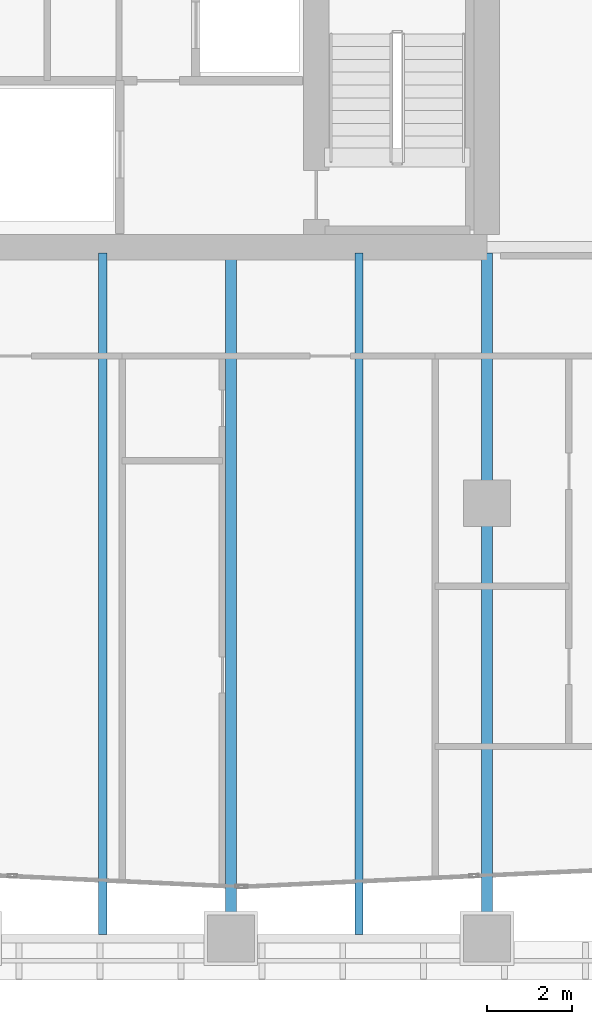
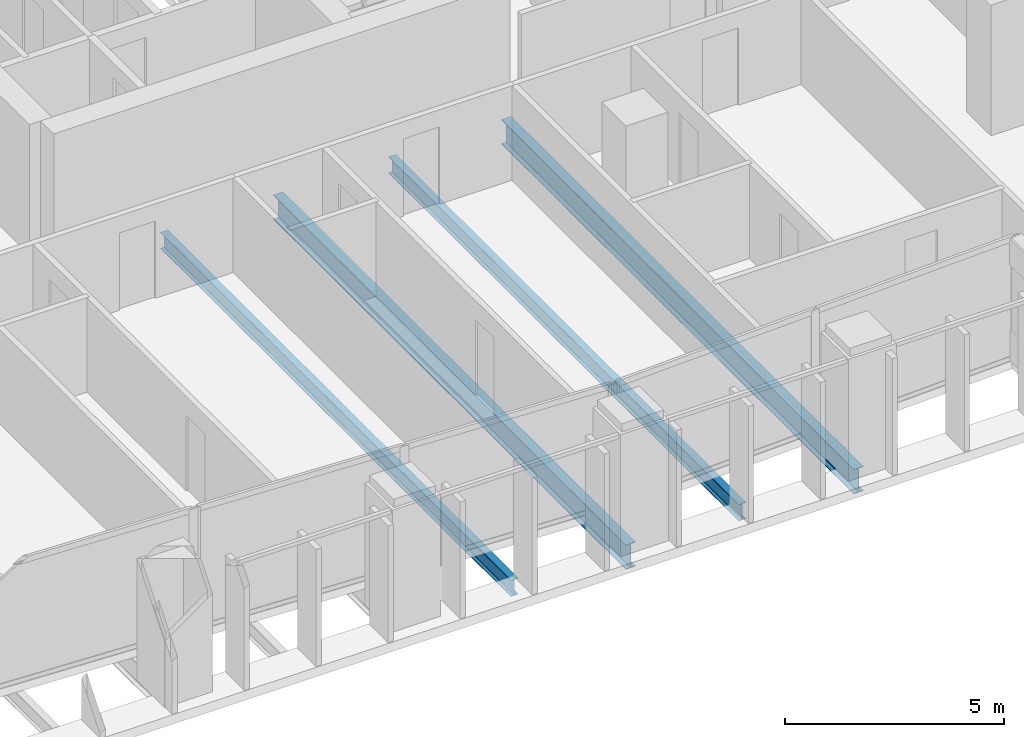
# One storey, part 15 of 32: 4 beams.
"""IFC4 building model written with IfcOpenShell, lengths in metres."""

from ifc_helpers import new_model, si_unit, direction, frame, origin, origin_2d, place, context, subcontext, project, spatial, i_section, extrude, material, material_profile, profile_set, type_object, element, save


model = new_model("IFC4")

# Units and contexts
model_context = context("Model", 3, precision=1e-05, world=origin(), true_north=direction((0.0, 1.0)))
body_context = subcontext(model_context, "Body", "Model", "MODEL_VIEW")
ifc_project = project(units=[si_unit("LENGTHUNIT", "METRE"), si_unit("AREAUNIT", "SQUARE_METRE"), si_unit("VOLUMEUNIT", "CUBIC_METRE"), si_unit("PLANEANGLEUNIT", "RADIAN"), si_unit("MASSUNIT", "GRAM", prefix="KILO")], contexts=[model_context])

# Site, building, storey
site_placement = place(None, origin())
site = spatial("IfcSite", under=ifc_project, at=site_placement, CompositionType="ELEMENT")
building_placement = place(site_placement, origin())
building = spatial("IfcBuilding", under=site, at=building_placement, Name="Tanjung Sevakor Pilgrim Tower", CompositionType="ELEMENT")
storey_placement = place(building_placement, frame((0.0, 0.0, 62.3701171875)))
storey = spatial("IfcBuildingStorey", under=building, at=storey_placement, Name="L17", CompositionType="ELEMENT", Elevation=62.3701171875)

# Beams
ifc_material_1 = material(Name="Steel S355J2", Category="steel")
ifc_material_profile_1 = material_profile(ifc_material_1, i_section(OverallWidth=0.25439453125, OverallDepth=0.6875, WebThickness=0.01318359375, FlangeThickness=0.02099609375, FilletRadius=0.01513671875, at=origin_2d()))
ifc_profile_set_1 = profile_set([ifc_material_profile_1], Name="Steel S355J2")
beam_type_1 = type_object("IfcBeamType", Name="BM-B-G2-UB_686x254x152", PredefinedType="BEAM", material=ifc_profile_set_1)
for number, where, z_axis, x_axis, name in (
    (1, (84.0, 8.39990234375, -0.56396484375), (0.0, 1.0, 0.0), (-1.0, 0.0, 0.0), "L17 MAIN Girder 041"),
    (2, (90.0, 8.39990234375, -0.56396484375), (0.0, 1.0, 0.0), (-1.0, 0.0, 0.0), "L17 MAIN Girder 045"),
):
    element("IfcBeam", number, at=place(storey_placement, frame(where, z_axis=z_axis, x_axis=x_axis)), inside=storey, type_object=beam_type_1, Name=name, PredefinedType="BEAM", context=body_context, shape_type="SweptSolid", body=[
        extrude(i_section(OverallWidth=0.25439453125, OverallDepth=0.6875, WebThickness=0.01318359375, FlangeThickness=0.02099609375, FilletRadius=0.01513671875, at=origin_2d()), origin(), (0.0, 0.0, 1.0), 16.066162109375),
    ])
ifc_material_2 = material(Name="Steel S355J2", Category="steel")
ifc_material_profile_2 = material_profile(ifc_material_2, i_section(OverallWidth=0.19140625, OverallDepth=0.4599609375, WebThickness=0.010009765625, FlangeThickness=0.01611328125, FilletRadius=0.01025390625, at=origin_2d()))
ifc_profile_set_2 = profile_set([ifc_material_profile_2], Name="Steel S355J2")
beam_type_2 = type_object("IfcBeamType", Name="BM-B-J2-UB_457x191x82", PredefinedType="JOIST", material=ifc_profile_set_2)
for number, where, z_axis, x_axis, name in (
    (3, (81.0, 8.5, -0.4501953125), (0.0, 1.0, 0.0), (-1.0, 0.0, 0.0), "L17 MAIN Joist 039"),
    (4, (87.0, 8.5, -0.4501953125), (0.0, 1.0, 0.0), (-1.0, 0.0, 0.0), "L17 MAIN Joist 043"),
):
    element("IfcBeam", number, at=place(storey_placement, frame(where, z_axis=z_axis, x_axis=x_axis)), inside=storey, type_object=beam_type_2, Name=name, PredefinedType="JOIST", context=body_context, shape_type="SweptSolid", body=[
        extrude(i_section(OverallWidth=0.19140625, OverallDepth=0.4599609375, WebThickness=0.010009765625, FlangeThickness=0.01611328125, FilletRadius=0.01025390625, at=origin_2d()), origin(), (0.0, 0.0, 1.0), 15.966064453125),
    ])

save(model, "model.ifc")
